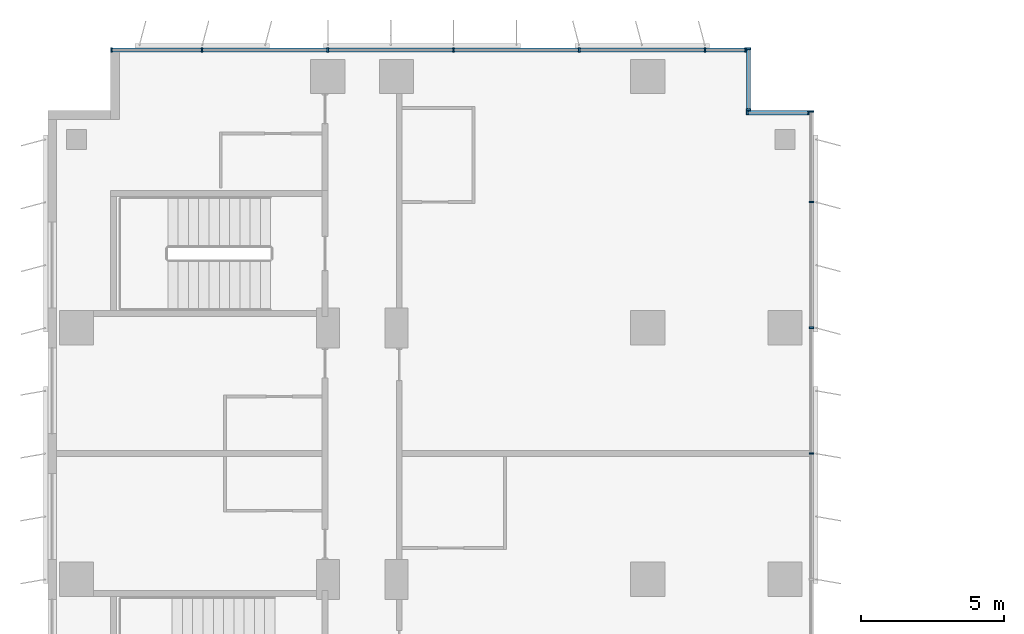
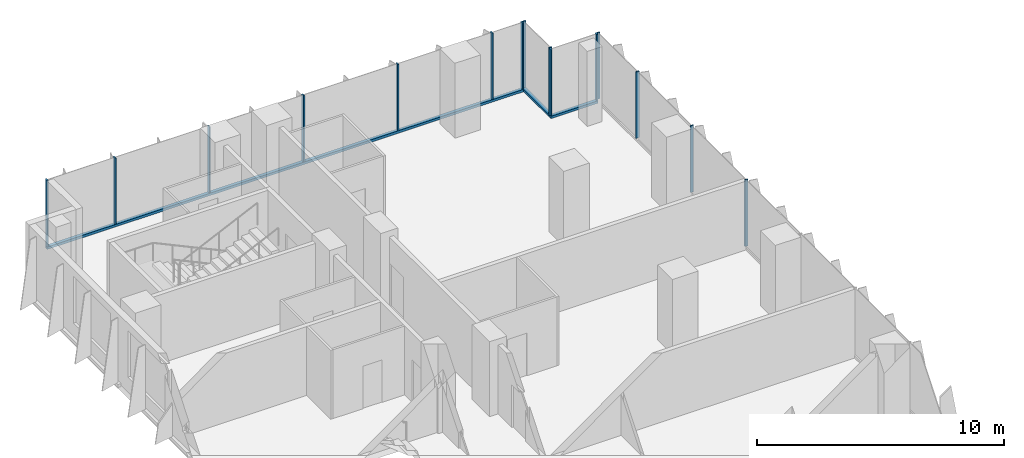
# One storey, part 9 of 23: 18 members, 4 elements without a shape of their own.
"""IFC4 building model written with IfcOpenShell, lengths in metres."""

from ifc_helpers import new_model, si_unit, direction, frame, origin, origin_2d, place, context, subcontext, project, spatial, rectangle, extrude, source, transform, mapped, material, material_profile, profile_set, type_object, element, aggregate, save


model = new_model("IFC4")

# Units and contexts
model_context = context("Model", 3, precision=1e-05, world=origin(), true_north=direction((0.0, 1.0)))
body_context = subcontext(model_context, "Body", "Model", "MODEL_VIEW")
ifc_project = project(units=[si_unit("LENGTHUNIT", "METRE"), si_unit("AREAUNIT", "SQUARE_METRE"), si_unit("VOLUMEUNIT", "CUBIC_METRE"), si_unit("PLANEANGLEUNIT", "RADIAN"), si_unit("MASSUNIT", "GRAM", prefix="KILO")], contexts=[model_context])

# Site, building, storey
site_placement = place(None, origin())
site = spatial("IfcSite", under=ifc_project, at=site_placement, CompositionType="ELEMENT")
building_placement = place(site_placement, origin())
building = spatial("IfcBuilding", under=site, at=building_placement, Name="Kemantara Hotel Tower", CompositionType="ELEMENT")
storey_placement = place(building_placement, frame((0.0, 0.0, 142.0)))
storey = spatial("IfcBuildingStorey", under=building, at=storey_placement, Name="L34", CompositionType="ELEMENT", Elevation=142.0)

# Curtain wall, member
ifc_material_1 = material(Name="Low-E tinted double insulated glass 36 mm", Category="glass")
curtain_wall_type = type_object("IfcCurtainWallType", Name="TOWER CURTAIN WALL, FRONT FACES", PredefinedType="USERDEFINED", material=ifc_material_1)
curtain_wall_1_placement = place(storey_placement, origin())
curtain_wall_1 = element("IfcCurtainWall", 1, at=curtain_wall_1_placement, inside=storey, type_object=curtain_wall_type, Name="CW4 L34 T2-R01-1", ObjectType="TOWER CURTAIN WALL, FRONT FACES", PredefinedType="USERDEFINED")
ifc_material_2 = material(Name="Aluminium 6063-T6 bronze anodised", Category="aluminium")
ifc_material_profile_1 = material_profile(ifc_material_2, rectangle(XDim=0.14990234375, YDim=0.1201171875, at=origin_2d()), Name="TOWER CURTAIN WALL, FRONT FACES TRANSOM")
ifc_profile_set_1 = profile_set([ifc_material_profile_1], Name="Aluminium 6063-T6 bronze anodised")
member_type_1 = type_object("IfcMemberType", Name="TOWER CURTAIN WALL, FRONT FACES TRANSOM", PredefinedType="USERDEFINED", material=ifc_profile_set_1)
member_1_placement = place(storey_placement, frame((24.449951171875, 81.125, 0.06005859375), z_axis=(-1.0, 0.0, 0.0), x_axis=(0.0, -1.0, 0.0)))
member_1 = element("IfcMember", 2, at=member_1_placement, type_object=member_type_1, Name="CW4 sill transom T2-R01-1", ObjectType="TRANSOM", PredefinedType="USERDEFINED", context=body_context, shape_type="SweptSolid", body=[
    extrude(rectangle(XDim=0.14990234375, YDim=0.1201171875, at=origin_2d()), origin(), (0.0, 0.0, 1.0), 22.25),
])

curtain_wall_2_placement = place(storey_placement, origin())
curtain_wall_2 = element("IfcCurtainWall", 3, at=curtain_wall_2_placement, inside=storey, type_object=curtain_wall_type, Name="CW4 L34 T2-R00-1", ObjectType="TOWER CURTAIN WALL, FRONT FACES", PredefinedType="USERDEFINED")
member_2_placement = place(storey_placement, frame((24.52490234375, 79.0, 0.06005859375), z_axis=(0.0, 1.0, 0.0), x_axis=(-1.0, 0.0, 0.0)))
member_2 = element("IfcMember", 4, at=member_2_placement, type_object=member_type_1, Name="CW4 sill transom T2-R00-1", ObjectType="TRANSOM", PredefinedType="USERDEFINED", context=body_context, shape_type="SweptSolid", body=[
    extrude(rectangle(XDim=0.14990234375, YDim=0.1201171875, at=origin_2d()), origin(), (0.0, 0.0, 1.0), 2.199951171875),
])

curtain_wall_3_placement = place(storey_placement, origin())
curtain_wall_3 = element("IfcCurtainWall", 5, at=curtain_wall_3_placement, inside=storey, type_object=curtain_wall_type, Name="CW4 L34 T2-R15-1", ObjectType="TOWER CURTAIN WALL, FRONT FACES", PredefinedType="USERDEFINED")
member_3_placement = place(storey_placement, frame((26.64990234375, 78.925048828125, 0.06005859375), z_axis=(-1.0, 0.0, 0.0), x_axis=(0.0, -1.0, 0.0)))
member_3 = element("IfcMember", 6, at=member_3_placement, type_object=member_type_1, Name="CW4 sill transom T2-R15-1", ObjectType="TRANSOM", PredefinedType="USERDEFINED", context=body_context, shape_type="SweptSolid", body=[
    extrude(rectangle(XDim=0.14990234375, YDim=0.1201171875, at=origin_2d()), origin(), (0.0, 0.0, 1.0), 2.199951171875),
])

# Member
ifc_material_profile_2 = material_profile(ifc_material_2, rectangle(XDim=0.14990234375, YDim=0.06005859375, at=origin_2d()), Name="TOWER CURTAIN WALL, FRONT FACES MULLION")
ifc_profile_set_2 = profile_set([ifc_material_profile_2], Name="Aluminium 6063-T6 bronze anodised")
member_type_2 = type_object("IfcMemberType", Name="TOWER CURTAIN WALL, FRONT FACES MULLION", PredefinedType="MULLION", material=ifc_profile_set_2)
shared_shape = source(origin(), body_context, "Body", "SweptSolid", [
    extrude(rectangle(XDim=0.14990234375, YDim=0.06005859375, at=origin_2d()), origin(), (0.0, 0.0, 1.0), 3.27978515625),
])
member_4_placement = place(storey_placement, frame((24.419921875, 81.125, 0.1201171875), z_axis=(0.0, 0.0, 1.0), x_axis=(0.0, -1.0, 0.0)))
member_4 = element("IfcMember", 7, at=member_4_placement, type_object=member_type_2, Name="CW4 mullion T2-R01-1.1", PredefinedType="MULLION", context=body_context, shape_type="MappedRepresentation", body=[
    mapped(shared_shape, transform((0.0, 0.0, 0.0))),
])

member_5_placement = place(storey_placement, frame((23.0, 81.125, 0.1201171875), z_axis=(0.0, 0.0, 1.0), x_axis=(0.0, -1.0, 0.0)))
member_5 = element("IfcMember", 8, at=member_5_placement, type_object=member_type_2, Name="CW4 mullion T2-R01-1.2", PredefinedType="MULLION", context=body_context, shape_type="MappedRepresentation", body=[
    mapped(shared_shape, transform((0.0, 0.0, 0.0))),
])

member_6_placement = place(storey_placement, frame((18.60009765625, 81.125, 0.1201171875), z_axis=(0.0, 0.0, 1.0), x_axis=(0.0, -1.0, 0.0)))
member_6 = element("IfcMember", 9, at=member_6_placement, type_object=member_type_2, Name="CW4 mullion T2-R01-1.3", PredefinedType="MULLION", context=body_context, shape_type="MappedRepresentation", body=[
    mapped(shared_shape, transform((0.0, 0.0, 0.0))),
])

member_7_placement = place(storey_placement, frame((14.199951171875, 81.125, 0.1201171875), z_axis=(0.0, 0.0, 1.0), x_axis=(0.0, -1.0, 0.0)))
member_7 = element("IfcMember", 10, at=member_7_placement, type_object=member_type_2, Name="CW4 mullion T2-R01-1.4", PredefinedType="MULLION", context=body_context, shape_type="MappedRepresentation", body=[
    mapped(shared_shape, transform((0.0, 0.0, 0.0))),
])

member_8_placement = place(storey_placement, frame((9.800048828125, 81.125, 0.1201171875), z_axis=(0.0, 0.0, 1.0), x_axis=(0.0, -1.0, 0.0)))
member_8 = element("IfcMember", 11, at=member_8_placement, type_object=member_type_2, Name="CW4 mullion T2-R01-1.5", PredefinedType="MULLION", context=body_context, shape_type="MappedRepresentation", body=[
    mapped(shared_shape, transform((0.0, 0.0, 0.0))),
])

member_9_placement = place(storey_placement, frame((5.39990234375, 81.125, 0.1201171875), z_axis=(0.0, 0.0, 1.0), x_axis=(0.0, -1.0, 0.0)))
member_9 = element("IfcMember", 12, at=member_9_placement, type_object=member_type_2, Name="CW4 mullion T2-R01-1.6", PredefinedType="MULLION", context=body_context, shape_type="MappedRepresentation", body=[
    mapped(shared_shape, transform((0.0, 0.0, 0.0))),
])

member_10_placement = place(storey_placement, frame((2.22998046875, 81.125, 0.1201171875), z_axis=(0.0, 0.0, 1.0), x_axis=(0.0, -1.0, 0.0)))
member_10 = element("IfcMember", 13, at=member_10_placement, type_object=member_type_2, Name="CW4 mullion T2-R01-1.7", PredefinedType="MULLION", context=body_context, shape_type="MappedRepresentation", body=[
    mapped(shared_shape, transform((0.0, 0.0, 0.0))),
])

aggregate(curtain_wall_1, [member_1, member_4, member_5, member_6, member_7, member_8, member_9, member_10])

# Curtain wall, members
curtain_wall_4_placement = place(storey_placement, origin())
curtain_wall_4 = element("IfcCurtainWall", 14, at=curtain_wall_4_placement, inside=storey, type_object=curtain_wall_type, Name="CW4 L34 T2-R14-1", ObjectType="TOWER CURTAIN WALL, FRONT FACES", PredefinedType="USERDEFINED")
member_11_placement = place(storey_placement, frame((26.72509765625, 67.0, 0.1201171875), z_axis=(0.0, 0.0, 1.0), x_axis=(-1.0, 0.0, 0.0)))
member_11 = element("IfcMember", 15, at=member_11_placement, type_object=member_type_2, Name="CW4 mullion T2-R14-1.12", PredefinedType="MULLION", context=body_context, shape_type="MappedRepresentation", body=[
    mapped(shared_shape, transform((0.0, 0.0, 0.0))),
])
member_12_placement = place(storey_placement, frame((26.72509765625, 71.39990234375, 0.1201171875), z_axis=(0.0, 0.0, 1.0), x_axis=(-1.0, 0.0, 0.0)))
member_12 = element("IfcMember", 16, at=member_12_placement, type_object=member_type_2, Name="CW4 mullion T2-R14-1.13", PredefinedType="MULLION", context=body_context, shape_type="MappedRepresentation", body=[
    mapped(shared_shape, transform((0.0, 0.0, 0.0))),
])
member_13_placement = place(storey_placement, frame((26.72509765625, 75.800048828125, 0.1201171875), z_axis=(0.0, 0.0, 1.0), x_axis=(-1.0, 0.0, 0.0)))
member_13 = element("IfcMember", 17, at=member_13_placement, type_object=member_type_2, Name="CW4 mullion T2-R14-1.14", PredefinedType="MULLION", context=body_context, shape_type="MappedRepresentation", body=[
    mapped(shared_shape, transform((0.0, 0.0, 0.0))),
])
member_14_placement = place(storey_placement, frame((26.72509765625, 78.969970703125, 0.1201171875), z_axis=(0.0, 0.0, 1.0), x_axis=(-1.0, 0.0, 0.0)))
member_14 = element("IfcMember", 18, at=member_14_placement, type_object=member_type_2, Name="CW4 mullion T2-R14-1.15", PredefinedType="MULLION", context=body_context, shape_type="MappedRepresentation", body=[
    mapped(shared_shape, transform((0.0, 0.0, 0.0))),
])
aggregate(curtain_wall_4, [member_11, member_12, member_13, member_14])

# Member
member_15_placement = place(storey_placement, frame((24.52490234375, 79.030029296875, 0.1201171875), z_axis=(0.0, 0.0, 1.0), x_axis=(-1.0, 0.0, 0.0)))
member_15 = element("IfcMember", 19, at=member_15_placement, type_object=member_type_2, Name="CW4 mullion T2-R00-1.1", PredefinedType="MULLION", context=body_context, shape_type="MappedRepresentation", body=[
    mapped(shared_shape, transform((0.0, 0.0, 0.0))),
])

member_16_placement = place(storey_placement, frame((24.52490234375, 81.169921875, 0.1201171875), z_axis=(0.0, 0.0, 1.0), x_axis=(-1.0, 0.0, 0.0)))
member_16 = element("IfcMember", 20, at=member_16_placement, type_object=member_type_2, Name="CW4 mullion T2-R00-1.2", PredefinedType="MULLION", context=body_context, shape_type="MappedRepresentation", body=[
    mapped(shared_shape, transform((0.0, 0.0, 0.0))),
])

aggregate(curtain_wall_2, [member_2, member_15, member_16])

member_17_placement = place(storey_placement, frame((26.6201171875, 78.925048828125, 0.1201171875), z_axis=(0.0, 0.0, 1.0), x_axis=(0.0, -1.0, 0.0)))
member_17 = element("IfcMember", 21, at=member_17_placement, type_object=member_type_2, Name="CW4 mullion T2-R15-1.1", PredefinedType="MULLION", context=body_context, shape_type="MappedRepresentation", body=[
    mapped(shared_shape, transform((0.0, 0.0, 0.0))),
])

member_18_placement = place(storey_placement, frame((24.47998046875, 78.925048828125, 0.1201171875), z_axis=(0.0, 0.0, 1.0), x_axis=(0.0, -1.0, 0.0)))
member_18 = element("IfcMember", 22, at=member_18_placement, type_object=member_type_2, Name="CW4 mullion T2-R15-1.2", PredefinedType="MULLION", context=body_context, shape_type="MappedRepresentation", body=[
    mapped(shared_shape, transform((0.0, 0.0, 0.0))),
])

aggregate(curtain_wall_3, [member_3, member_17, member_18])

save(model, "model.ifc")
